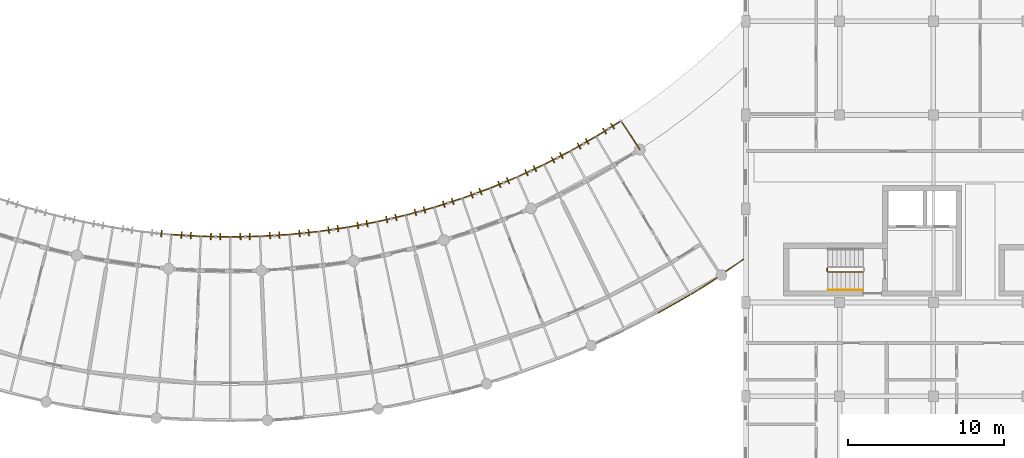
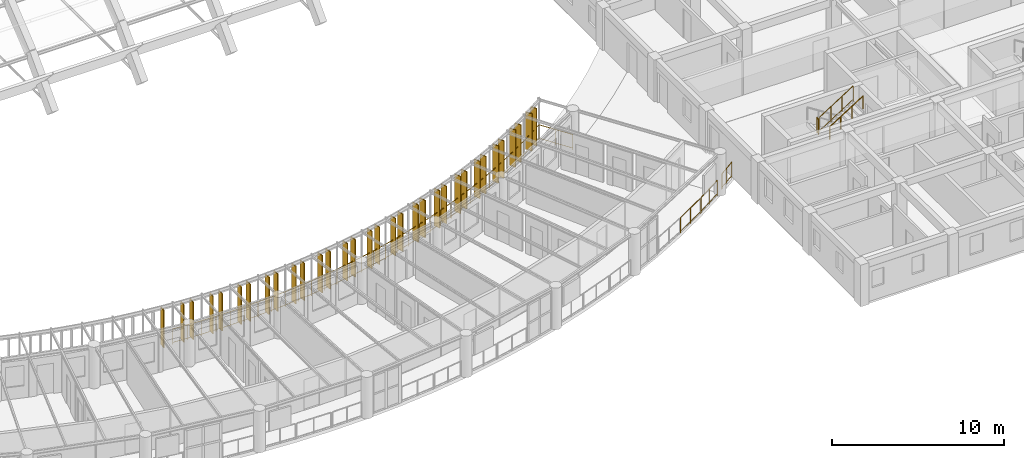
# One storey, part 113 of 123: 33 shading devices, 23 railings.
"""IFC4 building model written with IfcOpenShell, lengths in metres."""

from ifc_helpers import new_model, si_unit, direction, frame, origin, origin_2d, place, context, subcontext, project, spatial, rectangle, circle, extrude, material, layer, layer_set, type_object, element, save


model = new_model("IFC4")

# Units and contexts
model_context = context("Model", 3, precision=1e-05, world=origin(), true_north=direction((0.0, 1.0)))
body_context = subcontext(model_context, "Body", "Model", "MODEL_VIEW")
ifc_project = project(units=[si_unit("LENGTHUNIT", "METRE"), si_unit("AREAUNIT", "SQUARE_METRE"), si_unit("VOLUMEUNIT", "CUBIC_METRE"), si_unit("PLANEANGLEUNIT", "RADIAN"), si_unit("MASSUNIT", "GRAM", prefix="KILO"), si_unit("POWERUNIT", "WATT"), si_unit("THERMODYNAMICTEMPERATUREUNIT", "KELVIN")], contexts=[model_context])

# Site, building, storey
site_placement = place(None, origin())
site = spatial("IfcSite", under=ifc_project, at=site_placement, CompositionType="ELEMENT")
building_placement = place(site_placement, origin())
building = spatial("IfcBuilding", under=site, at=building_placement, Name="Ruvembo Vaulted Housing Court", CompositionType="ELEMENT")
storey_placement = place(building_placement, frame((0.0, 0.0, 7.699951171875)))
storey = spatial("IfcBuildingStorey", under=building, at=storey_placement, Name="L02", CompositionType="ELEMENT", Elevation=7.699951171875)

# Railings
ifc_material_1 = material(Name="Galvanised Painted Steel and Laminated Glass", Category="steel")
ifc_layer_1 = layer(ifc_material_1, 0.070068359375, Name="Galvanised Painted Steel and Laminated Glass")
ifc_layer_set_1 = layer_set([ifc_layer_1], Name="Galvanised Painted Steel and Laminated Glass")
railing_type_1 = type_object("IfcRailingType", Name="RL-BALUST-1120", PredefinedType="BALUSTRADE", material=ifc_layer_set_1)
railing_1_placement = place(storey_placement, frame((96.4072265625, 11.339599609375, 0.0)))
element("IfcRailing", 1, at=railing_1_placement, inside=storey, type_object=railing_type_1, Name="L02 Perimeter Guard RL-EXT-L02-0338", PredefinedType="BALUSTRADE", context=body_context, shape_type="SweptSolid", body=[
    extrude(circle(Radius=0.02392578125, at=origin_2d()), frame((0.0, 0.0, 1.09619140625), z_axis=(0.869960830337, 0.49312083071, 0.0), x_axis=(-0.49312083071, 0.869960830337, 0.0)), (0.0, 0.0, 1.0), 2.27587890625),
    extrude(circle(Radius=0.01806640625, at=origin_2d()), frame((0.0, 0.0, 0.1201171875), z_axis=(0.869960830337, 0.49312083071, 0.0), x_axis=(-0.49312083071, 0.869960830337, 0.0)), (0.0, 0.0, 1.0), 2.27587890625),
    extrude(circle(Radius=0.02099609375, at=origin_2d()), origin(), (0.0, 0.0, 1.0), 1.072021484375),
    extrude(circle(Radius=0.02099609375, at=origin_2d()), frame((0.989990234375, 0.56103515625, 0.0)), (0.0, 0.0, 1.0), 1.072021484375),
    extrude(circle(Radius=0.02099609375, at=origin_2d()), frame((1.97998046875, 1.122314453125, 0.0)), (0.0, 0.0, 1.0), 1.072021484375),
])
railing_2_placement = place(storey_placement, frame((98.47314453125, 12.512939453125, 0.0)))
element("IfcRailing", 2, at=railing_2_placement, inside=storey, type_object=railing_type_1, Name="L02 Perimeter Guard RL-EXT-L02-0339", PredefinedType="BALUSTRADE", context=body_context, shape_type="SweptSolid", body=[
    extrude(circle(Radius=0.02392578125, at=origin_2d()), frame((0.0, 0.0, 1.09619140625), z_axis=(0.848906322391, 0.528543333895, 0.0), x_axis=(-0.528543333895, 0.848906322391, 0.0)), (0.0, 0.0, 1.0), 1.97607421875),
    extrude(circle(Radius=0.01806640625, at=origin_2d()), frame((0.0, 0.0, 0.1201171875), z_axis=(0.848906322391, 0.528543333895, 0.0), x_axis=(-0.528543333895, 0.848906322391, 0.0)), (0.0, 0.0, 1.0), 1.97607421875),
    extrude(circle(Radius=0.02099609375, at=origin_2d()), origin(), (0.0, 0.0, 1.0), 1.072021484375),
    extrude(circle(Radius=0.02099609375, at=origin_2d()), frame((0.8388671875, 0.522216796875, 0.0)), (0.0, 0.0, 1.0), 1.072021484375),
    extrude(circle(Radius=0.02099609375, at=origin_2d()), frame((1.677490234375, 1.04443359375, 0.0)), (0.0, 0.0, 1.0), 1.072021484375),
])
ifc_material_2 = material(Name="Galvanised Painted Steel S275", Category="steel")
ifc_layer_2 = layer(ifc_material_2, 0.06005859375, Name="Galvanised Painted Steel S275")
ifc_layer_set_2 = layer_set([ifc_layer_2], Name="Galvanised Painted Steel S275")
railing_type_2 = type_object("IfcRailingType", Name="RL-GUARD-1100", PredefinedType="GUARDRAIL", material=ifc_layer_set_2)
railing_3_placement = place(storey_placement, frame((65.2255859375, 16.355712890625, 0.0)))
element("IfcRailing", 3, at=railing_3_placement, inside=storey, type_object=railing_type_2, Name="L02 Perimeter Guard RL-EXT-L02-0301", PredefinedType="GUARDRAIL", context=body_context, shape_type="SweptSolid", body=[
    extrude(circle(Radius=0.02392578125, at=origin_2d()), frame((0.0, 0.0, 1.076171875), z_axis=(0.998090110864, -0.061774837886, 0.0), x_axis=(0.061774837886, 0.998090110864, 0.0)), (0.0, 0.0, 1.0), 1.88916015625),
    extrude(circle(Radius=0.01806640625, at=origin_2d()), frame((0.0, 0.0, 0.1201171875), z_axis=(0.998090110864, -0.061774837886, 0.0), x_axis=(0.061774837886, 0.998090110864, 0.0)), (0.0, 0.0, 1.0), 1.88916015625),
    extrude(circle(Radius=0.02099609375, at=origin_2d()), origin(), (0.0, 0.0, 1.0), 1.052001953125),
    extrude(circle(Radius=0.02099609375, at=origin_2d()), frame((0.94287109375, -0.058349609375, 0.0)), (0.0, 0.0, 1.0), 1.052001953125),
    extrude(circle(Radius=0.02099609375, at=origin_2d()), frame((1.885498046875, -0.11669921875, 0.0)), (0.0, 0.0, 1.0), 1.052001953125),
])
railing_4_placement = place(storey_placement, frame((67.111083984375, 16.239013671875, 0.0)))
element("IfcRailing", 4, at=railing_4_placement, inside=storey, type_object=railing_type_2, Name="L02 Perimeter Guard RL-EXT-L02-0302", PredefinedType="GUARDRAIL", context=body_context, shape_type="SweptSolid", body=[
    extrude(circle(Radius=0.02392578125, at=origin_2d()), frame((0.0, 0.0, 1.076171875), z_axis=(0.99978624046, -0.020675429556, 0.0), x_axis=(0.020675429556, 0.99978624046, 0.0)), (0.0, 0.0, 1.0), 1.889404296875),
    extrude(circle(Radius=0.01806640625, at=origin_2d()), frame((0.0, 0.0, 0.1201171875), z_axis=(0.99978624046, -0.020675429556, 0.0), x_axis=(0.020675429556, 0.99978624046, 0.0)), (0.0, 0.0, 1.0), 1.889404296875),
    extrude(circle(Radius=0.02099609375, at=origin_2d()), origin(), (0.0, 0.0, 1.0), 1.052001953125),
    extrude(circle(Radius=0.02099609375, at=origin_2d()), frame((0.9443359375, -0.01953125, 0.0)), (0.0, 0.0, 1.0), 1.052001953125),
    extrude(circle(Radius=0.02099609375, at=origin_2d()), frame((1.888916015625, -0.0390625, 0.0)), (0.0, 0.0, 1.0), 1.052001953125),
])
railing_5_placement = place(storey_placement, frame((69.0, 16.199951171875, 0.0)))
element("IfcRailing", 5, at=railing_5_placement, inside=storey, type_object=railing_type_2, Name="L02 Perimeter Guard RL-EXT-L02-0303", PredefinedType="GUARDRAIL", context=body_context, shape_type="SweptSolid", body=[
    extrude(circle(Radius=0.02392578125, at=origin_2d()), frame((0.0, 0.0, 1.076171875), z_axis=(0.99978624046, 0.020675429556, 0.0), x_axis=(-0.020675429556, 0.99978624046, 0.0)), (0.0, 0.0, 1.0), 1.889404296875),
    extrude(circle(Radius=0.01806640625, at=origin_2d()), frame((0.0, 0.0, 0.1201171875), z_axis=(0.99978624046, 0.020675429556, 0.0), x_axis=(-0.020675429556, 0.99978624046, 0.0)), (0.0, 0.0, 1.0), 1.889404296875),
    extrude(circle(Radius=0.02099609375, at=origin_2d()), origin(), (0.0, 0.0, 1.0), 1.052001953125),
    extrude(circle(Radius=0.02099609375, at=origin_2d()), frame((0.9443359375, 0.01953125, 0.0)), (0.0, 0.0, 1.0), 1.052001953125),
    extrude(circle(Radius=0.02099609375, at=origin_2d()), frame((1.888916015625, 0.0390625, 0.0)), (0.0, 0.0, 1.0), 1.052001953125),
])
railing_6_placement = place(storey_placement, frame((70.888916015625, 16.239013671875, 0.0)))
element("IfcRailing", 6, at=railing_6_placement, inside=storey, type_object=railing_type_2, Name="L02 Perimeter Guard RL-EXT-L02-0304", PredefinedType="GUARDRAIL", context=body_context, shape_type="SweptSolid", body=[
    extrude(circle(Radius=0.02392578125, at=origin_2d()), frame((0.0, 0.0, 1.076171875), z_axis=(0.998090110864, 0.061774837886, 0.0), x_axis=(-0.061774837886, 0.998090110864, 0.0)), (0.0, 0.0, 1.0), 1.88916015625),
    extrude(circle(Radius=0.01806640625, at=origin_2d()), frame((0.0, 0.0, 0.1201171875), z_axis=(0.998090110864, 0.061774837886, 0.0), x_axis=(-0.061774837886, 0.998090110864, 0.0)), (0.0, 0.0, 1.0), 1.88916015625),
    extrude(circle(Radius=0.02099609375, at=origin_2d()), origin(), (0.0, 0.0, 1.0), 1.052001953125),
    extrude(circle(Radius=0.02099609375, at=origin_2d()), frame((0.94287109375, 0.058349609375, 0.0)), (0.0, 0.0, 1.0), 1.052001953125),
    extrude(circle(Radius=0.02099609375, at=origin_2d()), frame((1.885498046875, 0.11669921875, 0.0)), (0.0, 0.0, 1.0), 1.052001953125),
])
railing_7_placement = place(storey_placement, frame((72.7744140625, 16.355712890625, 0.0)))
element("IfcRailing", 7, at=railing_7_placement, inside=storey, type_object=railing_type_2, Name="L02 Perimeter Guard RL-EXT-L02-0305", PredefinedType="GUARDRAIL", context=body_context, shape_type="SweptSolid", body=[
    extrude(circle(Radius=0.02392578125, at=origin_2d()), frame((0.0, 0.0, 1.076171875), z_axis=(0.994683125416, 0.10298291127, 0.0), x_axis=(-0.10298291127, 0.994683125416, 0.0)), (0.0, 0.0, 1.0), 1.889404296875),
    extrude(circle(Radius=0.01806640625, at=origin_2d()), frame((0.0, 0.0, 0.1201171875), z_axis=(0.994683125416, 0.10298291127, 0.0), x_axis=(-0.10298291127, 0.994683125416, 0.0)), (0.0, 0.0, 1.0), 1.889404296875),
    extrude(circle(Radius=0.02099609375, at=origin_2d()), origin(), (0.0, 0.0, 1.0), 1.052001953125),
    extrude(circle(Radius=0.02099609375, at=origin_2d()), frame((0.939697265625, 0.09716796875, 0.0)), (0.0, 0.0, 1.0), 1.052001953125),
    extrude(circle(Radius=0.02099609375, at=origin_2d()), frame((1.87939453125, 0.194580078125, 0.0)), (0.0, 0.0, 1.0), 1.052001953125),
])
railing_8_placement = place(storey_placement, frame((74.65380859375, 16.55029296875, 0.0)))
element("IfcRailing", 8, at=railing_8_placement, inside=storey, type_object=railing_type_2, Name="L02 Perimeter Guard RL-EXT-L02-0306", PredefinedType="GUARDRAIL", context=body_context, shape_type="SweptSolid", body=[
    extrude(circle(Radius=0.02392578125, at=origin_2d()), frame((0.0, 0.0, 1.076171875), z_axis=(0.989600158039, 0.143845497701, 0.0), x_axis=(-0.143845497701, 0.989600158039, 0.0)), (0.0, 0.0, 1.0), 1.888916015625),
    extrude(circle(Radius=0.01806640625, at=origin_2d()), frame((0.0, 0.0, 0.1201171875), z_axis=(0.989600158039, 0.143845497701, 0.0), x_axis=(-0.143845497701, 0.989600158039, 0.0)), (0.0, 0.0, 1.0), 1.888916015625),
    extrude(circle(Radius=0.02099609375, at=origin_2d()), origin(), (0.0, 0.0, 1.0), 1.052001953125),
    extrude(circle(Radius=0.02099609375, at=origin_2d()), frame((0.9345703125, 0.1357421875, 0.0)), (0.0, 0.0, 1.0), 1.052001953125),
    extrude(circle(Radius=0.02099609375, at=origin_2d()), frame((1.869384765625, 0.271728515625, 0.0)), (0.0, 0.0, 1.0), 1.052001953125),
])
railing_9_placement = place(storey_placement, frame((76.523193359375, 16.822021484375, 0.0)))
element("IfcRailing", 9, at=railing_9_placement, inside=storey, type_object=railing_type_2, Name="L02 Perimeter Guard RL-EXT-L02-0307", PredefinedType="GUARDRAIL", context=body_context, shape_type="SweptSolid", body=[
    extrude(circle(Radius=0.02392578125, at=origin_2d()), frame((0.0, 0.0, 1.076171875), z_axis=(0.982804832401, 0.184647397515, 0.0), x_axis=(-0.184647397515, 0.982804832401, 0.0)), (0.0, 0.0, 1.0), 1.889404296875),
    extrude(circle(Radius=0.01806640625, at=origin_2d()), frame((0.0, 0.0, 0.1201171875), z_axis=(0.982804832401, 0.184647397515, 0.0), x_axis=(-0.184647397515, 0.982804832401, 0.0)), (0.0, 0.0, 1.0), 1.889404296875),
    extrude(circle(Radius=0.02099609375, at=origin_2d()), origin(), (0.0, 0.0, 1.0), 1.052001953125),
    extrude(circle(Radius=0.02099609375, at=origin_2d()), frame((0.928466796875, 0.17431640625, 0.0)), (0.0, 0.0, 1.0), 1.052001953125),
    extrude(circle(Radius=0.02099609375, at=origin_2d()), frame((1.85693359375, 0.348876953125, 0.0)), (0.0, 0.0, 1.0), 1.052001953125),
])
railing_10_placement = place(storey_placement, frame((78.380126953125, 17.1708984375, 0.0)))
element("IfcRailing", 10, at=railing_10_placement, inside=storey, type_object=railing_type_2, Name="L02 Perimeter Guard RL-EXT-L02-0308", PredefinedType="GUARDRAIL", context=body_context, shape_type="SweptSolid", body=[
    extrude(circle(Radius=0.02392578125, at=origin_2d()), frame((0.0, 0.0, 1.076171875), z_axis=(0.974391195695, 0.224859506699, 0.0), x_axis=(-0.224859506699, 0.974391195695, 0.0)), (0.0, 0.0, 1.0), 1.88916015625),
    extrude(circle(Radius=0.01806640625, at=origin_2d()), frame((0.0, 0.0, 0.1201171875), z_axis=(0.974391195695, 0.224859506699, 0.0), x_axis=(-0.224859506699, 0.974391195695, 0.0)), (0.0, 0.0, 1.0), 1.88916015625),
    extrude(circle(Radius=0.02099609375, at=origin_2d()), origin(), (0.0, 0.0, 1.0), 1.052001953125),
    extrude(circle(Radius=0.02099609375, at=origin_2d()), frame((0.92041015625, 0.21240234375, 0.0)), (0.0, 0.0, 1.0), 1.052001953125),
    extrude(circle(Radius=0.02099609375, at=origin_2d()), frame((1.8408203125, 0.4248046875, 0.0)), (0.0, 0.0, 1.0), 1.052001953125),
])
railing_11_placement = place(storey_placement, frame((80.220947265625, 17.595703125, 0.0)))
element("IfcRailing", 11, at=railing_11_placement, inside=storey, type_object=railing_type_2, Name="L02 Perimeter Guard RL-EXT-L02-0309", PredefinedType="GUARDRAIL", context=body_context, shape_type="SweptSolid", body=[
    extrude(circle(Radius=0.02392578125, at=origin_2d()), frame((0.0, 0.0, 1.076171875), z_axis=(0.964240073493, 0.26503033915, 0.0), x_axis=(-0.26503033915, 0.964240073493, 0.0)), (0.0, 0.0, 1.0), 1.889404296875),
    extrude(circle(Radius=0.01806640625, at=origin_2d()), frame((0.0, 0.0, 0.1201171875), z_axis=(0.964240073493, 0.26503033915, 0.0), x_axis=(-0.26503033915, 0.964240073493, 0.0)), (0.0, 0.0, 1.0), 1.889404296875),
    extrude(circle(Radius=0.02099609375, at=origin_2d()), origin(), (0.0, 0.0, 1.0), 1.052001953125),
    extrude(circle(Radius=0.02099609375, at=origin_2d()), frame((0.910888671875, 0.25048828125, 0.0)), (0.0, 0.0, 1.0), 1.052001953125),
    extrude(circle(Radius=0.02099609375, at=origin_2d()), frame((1.82177734375, 0.500732421875, 0.0)), (0.0, 0.0, 1.0), 1.052001953125),
])
railing_12_placement = place(storey_placement, frame((82.042724609375, 18.096435546875, 0.0)))
element("IfcRailing", 12, at=railing_12_placement, inside=storey, type_object=railing_type_2, Name="L02 Perimeter Guard RL-EXT-L02-0310", PredefinedType="GUARDRAIL", context=body_context, shape_type="SweptSolid", body=[
    extrude(circle(Radius=0.02392578125, at=origin_2d()), frame((0.0, 0.0, 1.076171875), z_axis=(0.952526124364, 0.304456864605, 0.0), x_axis=(-0.304456864605, 0.952526124364, 0.0)), (0.0, 0.0, 1.0), 1.88916015625),
    extrude(circle(Radius=0.01806640625, at=origin_2d()), frame((0.0, 0.0, 0.1201171875), z_axis=(0.952526124364, 0.304456864605, 0.0), x_axis=(-0.304456864605, 0.952526124364, 0.0)), (0.0, 0.0, 1.0), 1.88916015625),
    extrude(circle(Radius=0.02099609375, at=origin_2d()), origin(), (0.0, 0.0, 1.0), 1.052001953125),
    extrude(circle(Radius=0.02099609375, at=origin_2d()), frame((0.89990234375, 0.28759765625, 0.0)), (0.0, 0.0, 1.0), 1.052001953125),
    extrude(circle(Radius=0.02099609375, at=origin_2d()), frame((1.799560546875, 0.5751953125, 0.0)), (0.0, 0.0, 1.0), 1.052001953125),
])
railing_13_placement = place(storey_placement, frame((83.84228515625, 18.671630859375, 0.0)))
element("IfcRailing", 13, at=railing_13_placement, inside=storey, type_object=railing_type_2, Name="L02 Perimeter Guard RL-EXT-L02-0311", PredefinedType="GUARDRAIL", context=body_context, shape_type="SweptSolid", body=[
    extrude(circle(Radius=0.02392578125, at=origin_2d()), frame((0.0, 0.0, 1.076171875), z_axis=(0.939165556371, 0.343464783824, 0.0), x_axis=(-0.343464783824, 0.939165556371, 0.0)), (0.0, 0.0, 1.0), 1.889404296875),
    extrude(circle(Radius=0.01806640625, at=origin_2d()), frame((0.0, 0.0, 0.1201171875), z_axis=(0.939165556371, 0.343464783824, 0.0), x_axis=(-0.343464783824, 0.939165556371, 0.0)), (0.0, 0.0, 1.0), 1.889404296875),
    extrude(circle(Radius=0.02099609375, at=origin_2d()), origin(), (0.0, 0.0, 1.0), 1.052001953125),
    extrude(circle(Radius=0.02099609375, at=origin_2d()), frame((0.88720703125, 0.324462890625, 0.0)), (0.0, 0.0, 1.0), 1.052001953125),
    extrude(circle(Radius=0.02099609375, at=origin_2d()), frame((1.7744140625, 0.64892578125, 0.0)), (0.0, 0.0, 1.0), 1.052001953125),
])
railing_14_placement = place(storey_placement, frame((85.61669921875, 19.320556640625, 0.0)))
element("IfcRailing", 14, at=railing_14_placement, inside=storey, type_object=railing_type_2, Name="L02 Perimeter Guard RL-EXT-L02-0312", PredefinedType="GUARDRAIL", context=body_context, shape_type="SweptSolid", body=[
    extrude(circle(Radius=0.02392578125, at=origin_2d()), frame((0.0, 0.0, 1.076171875), z_axis=(0.924155321549, 0.38201693896, 0.0), x_axis=(-0.38201693896, 0.924155321549, 0.0)), (0.0, 0.0, 1.0), 1.88916015625),
    extrude(circle(Radius=0.01806640625, at=origin_2d()), frame((0.0, 0.0, 0.1201171875), z_axis=(0.924155321549, 0.38201693896, 0.0), x_axis=(-0.38201693896, 0.924155321549, 0.0)), (0.0, 0.0, 1.0), 1.88916015625),
    extrude(circle(Radius=0.02099609375, at=origin_2d()), origin(), (0.0, 0.0, 1.0), 1.052001953125),
    extrude(circle(Radius=0.02099609375, at=origin_2d()), frame((0.873046875, 0.36083984375, 0.0)), (0.0, 0.0, 1.0), 1.052001953125),
    extrude(circle(Radius=0.02099609375, at=origin_2d()), frame((1.745849609375, 0.7216796875, 0.0)), (0.0, 0.0, 1.0), 1.052001953125),
])
railing_15_placement = place(storey_placement, frame((87.362548828125, 20.042236328125, 0.0)))
element("IfcRailing", 15, at=railing_15_placement, inside=storey, type_object=railing_type_2, Name="L02 Perimeter Guard RL-EXT-L02-0313", PredefinedType="GUARDRAIL", context=body_context, shape_type="SweptSolid", body=[
    extrude(circle(Radius=0.02392578125, at=origin_2d()), frame((0.0, 0.0, 1.076171875), z_axis=(0.907656578832, 0.419713634403, 0.0), x_axis=(-0.419713634403, 0.907656578832, 0.0)), (0.0, 0.0, 1.0), 1.889404296875),
    extrude(circle(Radius=0.01806640625, at=origin_2d()), frame((0.0, 0.0, 0.1201171875), z_axis=(0.907656578832, 0.419713634403, 0.0), x_axis=(-0.419713634403, 0.907656578832, 0.0)), (0.0, 0.0, 1.0), 1.889404296875),
    extrude(circle(Radius=0.02099609375, at=origin_2d()), origin(), (0.0, 0.0, 1.0), 1.052001953125),
    extrude(circle(Radius=0.02099609375, at=origin_2d()), frame((0.857421875, 0.396484375, 0.0)), (0.0, 0.0, 1.0), 1.052001953125),
    extrude(circle(Radius=0.02099609375, at=origin_2d()), frame((1.71484375, 0.79296875, 0.0)), (0.0, 0.0, 1.0), 1.052001953125),
])
railing_16_placement = place(storey_placement, frame((89.077392578125, 20.835205078125, 0.0)))
element("IfcRailing", 16, at=railing_16_placement, inside=storey, type_object=railing_type_2, Name="L02 Perimeter Guard RL-EXT-L02-0314", PredefinedType="GUARDRAIL", context=body_context, shape_type="SweptSolid", body=[
    extrude(circle(Radius=0.02392578125, at=origin_2d()), frame((0.0, 0.0, 1.076171875), z_axis=(0.889568437347, 0.45680192127, 0.0), x_axis=(-0.45680192127, 0.889568437347, 0.0)), (0.0, 0.0, 1.0), 1.889404296875),
    extrude(circle(Radius=0.01806640625, at=origin_2d()), frame((0.0, 0.0, 0.1201171875), z_axis=(0.889568437347, 0.45680192127, 0.0), x_axis=(-0.45680192127, 0.889568437347, 0.0)), (0.0, 0.0, 1.0), 1.889404296875),
    extrude(circle(Radius=0.02099609375, at=origin_2d()), origin(), (0.0, 0.0, 1.0), 1.052001953125),
    extrude(circle(Radius=0.02099609375, at=origin_2d()), frame((0.84033203125, 0.431640625, 0.0)), (0.0, 0.0, 1.0), 1.052001953125),
    extrude(circle(Radius=0.02099609375, at=origin_2d()), frame((1.6806640625, 0.863037109375, 0.0)), (0.0, 0.0, 1.0), 1.052001953125),
])
railing_17_placement = place(storey_placement, frame((90.758056640625, 21.6982421875, 0.0)))
element("IfcRailing", 17, at=railing_17_placement, inside=storey, type_object=railing_type_2, Name="L02 Perimeter Guard RL-EXT-L02-0315", PredefinedType="GUARDRAIL", context=body_context, shape_type="SweptSolid", body=[
    extrude(circle(Radius=0.02392578125, at=origin_2d()), frame((0.0, 0.0, 1.076171875), z_axis=(0.869955662473, 0.493129947712, 0.0), x_axis=(-0.493129947712, 0.869955662473, 0.0)), (0.0, 0.0, 1.0), 1.88916015625),
    extrude(circle(Radius=0.01806640625, at=origin_2d()), frame((0.0, 0.0, 0.1201171875), z_axis=(0.869955662473, 0.493129947712, 0.0), x_axis=(-0.493129947712, 0.869955662473, 0.0)), (0.0, 0.0, 1.0), 1.88916015625),
    extrude(circle(Radius=0.02099609375, at=origin_2d()), origin(), (0.0, 0.0, 1.0), 1.052001953125),
    extrude(circle(Radius=0.02099609375, at=origin_2d()), frame((0.82177734375, 0.4658203125, 0.0)), (0.0, 0.0, 1.0), 1.052001953125),
    extrude(circle(Radius=0.02099609375, at=origin_2d()), frame((1.6435546875, 0.931640625, 0.0)), (0.0, 0.0, 1.0), 1.052001953125),
])
railing_18_placement = place(storey_placement, frame((92.401611328125, 22.6298828125, 0.0)))
element("IfcRailing", 18, at=railing_18_placement, inside=storey, type_object=railing_type_2, Name="L02 Perimeter Guard RL-EXT-L02-0316", PredefinedType="GUARDRAIL", context=body_context, shape_type="SweptSolid", body=[
    extrude(circle(Radius=0.02392578125, at=origin_2d()), frame((0.0, 0.0, 1.076171875), z_axis=(0.848904567119, 0.52854615307, 0.0), x_axis=(-0.52854615307, 0.848904567119, 0.0)), (0.0, 0.0, 1.0), 1.88916015625),
    extrude(circle(Radius=0.01806640625, at=origin_2d()), frame((0.0, 0.0, 0.1201171875), z_axis=(0.848904567119, 0.52854615307, 0.0), x_axis=(-0.52854615307, 0.848904567119, 0.0)), (0.0, 0.0, 1.0), 1.88916015625),
    extrude(circle(Radius=0.02099609375, at=origin_2d()), origin(), (0.0, 0.0, 1.0), 1.052001953125),
    extrude(circle(Radius=0.02099609375, at=origin_2d()), frame((0.8017578125, 0.499267578125, 0.0)), (0.0, 0.0, 1.0), 1.052001953125),
    extrude(circle(Radius=0.02099609375, at=origin_2d()), frame((1.603759765625, 0.99853515625, 0.0)), (0.0, 0.0, 1.0), 1.052001953125),
])
railing_19_placement = place(storey_placement, frame((94.00537109375, 23.62841796875, 0.0)))
element("IfcRailing", 19, at=railing_19_placement, inside=storey, type_object=railing_type_2, Name="L02 Perimeter Guard RL-EXT-L02-0317", PredefinedType="GUARDRAIL", context=body_context, shape_type="SweptSolid", body=[
    extrude(circle(Radius=0.02392578125, at=origin_2d()), frame((0.0, 0.0, 1.076171875), z_axis=(0.546013859183, -0.837776142881, 0.0), x_axis=(0.837776142881, 0.546013859183, 0.0)), (0.0, 0.0, 1.0), 2.199951171875),
    extrude(circle(Radius=0.01806640625, at=origin_2d()), frame((0.0, 0.0, 0.1201171875), z_axis=(0.546013859183, -0.837776142881, 0.0), x_axis=(0.837776142881, 0.546013859183, 0.0)), (0.0, 0.0, 1.0), 2.199951171875),
    extrude(circle(Radius=0.02099609375, at=origin_2d()), origin(), (0.0, 0.0, 1.0), 1.052001953125),
    extrude(circle(Radius=0.02099609375, at=origin_2d()), frame((0.6005859375, -0.92138671875, 0.0)), (0.0, 0.0, 1.0), 1.052001953125),
    extrude(circle(Radius=0.02099609375, at=origin_2d()), frame((1.201171875, -1.843017578125, 0.0)), (0.0, 0.0, 1.0), 1.052001953125),
])
railing_20_placement = place(storey_placement, frame((101.824951171875, 14.75341796875, 0.0)))
element("IfcRailing", 20, at=railing_20_placement, inside=storey, type_object=railing_type_2, Name="L02 Perimeter Guard RL-EXT-L02-0909", PredefinedType="GUARDRAIL", context=body_context, shape_type="SweptSolid", body=[
    extrude(circle(Radius=0.02392578125, at=origin_2d()), frame((0.0, 0.0, 1.076171875), z_axis=(-0.826420361982, -0.5630536256, 0.0), x_axis=(0.5630536256, -0.826420361982, 0.0)), (0.0, 0.0, 1.0), 1.337646484375),
    extrude(circle(Radius=0.01806640625, at=origin_2d()), frame((0.0, 0.0, 0.1201171875), z_axis=(-0.826420361982, -0.5630536256, 0.0), x_axis=(0.5630536256, -0.826420361982, 0.0)), (0.0, 0.0, 1.0), 1.337646484375),
    extrude(circle(Radius=0.02099609375, at=origin_2d()), origin(), (0.0, 0.0, 1.0), 1.052001953125),
    extrude(circle(Radius=0.02099609375, at=origin_2d()), frame((-0.552734375, -0.37646484375, 0.0)), (0.0, 0.0, 1.0), 1.052001953125),
    extrude(circle(Radius=0.02099609375, at=origin_2d()), frame((-1.10546875, -0.753173828125, 0.0)), (0.0, 0.0, 1.0), 1.052001953125),
])
ifc_material_3 = material(Name="Painted Galvanised Steel S275", Category="steel")
ifc_layer_3 = layer(ifc_material_3, 0.06005859375, Name="Painted Galvanised Steel S275")
ifc_layer_set_3 = layer_set([ifc_layer_3], Name="Painted Galvanised Steel S275")
railing_type_3 = type_object("IfcRailingType", Name="RL-STAIR-GR1100", PredefinedType="GUARDRAIL", material=ifc_layer_set_3)
railing_21_placement = place(storey_placement, frame((107.2099609375, 14.199951171875, 1.60009765625)))
element("IfcRailing", 21, at=railing_21_placement, inside=storey, type_object=railing_type_3, Name="L02 ST-C1 stair guard 2", PredefinedType="GUARDRAIL", context=body_context, shape_type="SweptSolid", body=[
    extrude(circle(Radius=0.02392578125, at=origin_2d()), frame((0.0, 0.0, 1.076171875), z_axis=(0.0, -1.0, 0.0), x_axis=(1.0, 0.0, 0.0)), (0.0, 0.0, 1.0), 0.199951171875),
    extrude(circle(Radius=0.01806640625, at=origin_2d()), frame((0.0, 0.0, 0.1201171875), z_axis=(0.0, -1.0, 0.0), x_axis=(1.0, 0.0, 0.0)), (0.0, 0.0, 1.0), 0.199951171875),
    extrude(circle(Radius=0.02099609375, at=origin_2d()), origin(), (0.0, 0.0, 1.0), 1.052001953125),
    extrude(circle(Radius=0.02099609375, at=origin_2d()), frame((0.0, -0.199951171875, 0.0)), (0.0, 0.0, 1.0), 1.052001953125),
])
railing_22_placement = place(storey_placement, frame((107.260009765625, 13.949951171875, 1.77783203125)))
element("IfcRailing", 22, at=railing_22_placement, inside=storey, type_object=railing_type_3, Name="L02 ST-C1 stair guard 3", PredefinedType="GUARDRAIL", context=body_context, shape_type="SweptSolid", body=[
    extrude(circle(Radius=0.02392578125, at=origin_2d()), frame((0.0, 0.0, 1.076171875), z_axis=(0.8442293374, 0.0, 0.53598211339), x_axis=(0.0, 1.0, 0.0)), (0.0, 0.0, 1.0), 2.6533203125),
    extrude(circle(Radius=0.01806640625, at=origin_2d()), frame((0.0, 0.0, 0.1201171875), z_axis=(0.8442293374, 0.0, 0.53598211339), x_axis=(0.0, 1.0, 0.0)), (0.0, 0.0, 1.0), 2.6533203125),
    extrude(circle(Radius=0.02099609375, at=origin_2d()), origin(), (0.0, 0.0, 1.0), 1.052001953125),
    extrude(circle(Radius=0.02099609375, at=origin_2d()), frame((0.74658203125, 0.0, 0.47412109375)), (0.0, 0.0, 1.0), 1.052001953125),
    extrude(circle(Radius=0.02099609375, at=origin_2d()), frame((1.493408203125, 0.0, 0.947998046875)), (0.0, 0.0, 1.0), 1.052001953125),
    extrude(circle(Radius=0.02099609375, at=origin_2d()), frame((2.239990234375, 0.0, 1.422119140625)), (0.0, 0.0, 1.0), 1.052001953125),
])
ifc_material_4 = material(Name="Brushed Stainless Steel 304", Category="steel")
ifc_layer_4 = layer(ifc_material_4, 0.050048828125, Name="Brushed Stainless Steel 304")
ifc_layer_set_4 = layer_set([ifc_layer_4], Name="Brushed Stainless Steel 304")
railing_type_4 = type_object("IfcRailingType", Name="RL-STAIR-HR920", PredefinedType="HANDRAIL", material=ifc_layer_set_4)
railing_23_placement = place(storey_placement, frame((107.260009765625, 12.800048828125, 1.959228515625)))
element("IfcRailing", 23, at=railing_23_placement, inside=storey, type_object=railing_type_4, Name="L02 ST-C1 stair handrail 2", PredefinedType="HANDRAIL", context=body_context, shape_type="SweptSolid", body=[
    extrude(circle(Radius=0.02392578125, at=origin_2d()), frame((0.0, 0.0, 0.8759765625), z_axis=(0.84418770128, 0.0, 0.536047689118), x_axis=(0.0, 1.0, 0.0)), (0.0, 0.0, 1.0), 2.6533203125),
    extrude(circle(Radius=0.02099609375, at=origin_2d()), origin(), (0.0, 0.0, 1.0), 0.851806640625),
    extrude(circle(Radius=0.02099609375, at=origin_2d()), frame((0.74658203125, 0.0, 0.47412109375)), (0.0, 0.0, 1.0), 0.851806640625),
    extrude(circle(Radius=0.02099609375, at=origin_2d()), frame((1.493408203125, 0.0, 0.9482421875)), (0.0, 0.0, 1.0), 0.851806640625),
    extrude(circle(Radius=0.02099609375, at=origin_2d()), frame((2.239990234375, 0.0, 1.42236328125)), (0.0, 0.0, 1.0), 0.851806640625),
])

# Shading devices
ifc_material_5 = material(Name="Kiln-Fired Terracotta Extrusion", Category="masonry")
shading_device_type = type_object("IfcShadingDeviceType", Name="SHD-FIN-420", PredefinedType="USERDEFINED", material=ifc_material_5)
for number, where, z_axis, x_axis, name in (
    (24, (64.584228515625, 16.422119140625, 0.0498046875), (0.0, 0.0, 1.0), (-0.102948783072, -0.994686658232, 0.0), "Terracotta Brise-Soleil Fin #270"),
    (25, (65.868896484375, 16.31591796875, 0.0498046875), (0.0, 0.0, 1.0), (-0.061832453863, -0.998086543166, 0.0), "Terracotta Brise-Soleil Fin #271"),
    (26, (66.4677734375, 16.27880859375, 0.0498046875), (0.0, 0.0, 1.0), (-0.061832453863, -0.998086543166, 0.0), "Terracotta Brise-Soleil Fin #272"),
    (27, (67.755615234375, 16.2255859375, 0.0498046875), (0.0, 0.0, 1.0), (-0.020645778066, -0.999786853208, 0.0), "Terracotta Brise-Soleil Fin #273"),
    (28, (68.35546875, 16.21337890625, 0.0498046875), (0.0, 0.0, 1.0), (-0.020645778066, -0.999786853208, 0.0), "Terracotta Brise-Soleil Fin #274"),
    (29, (69.64453125, 16.21337890625, 0.0498046875), (0.0, 0.0, 1.0), (0.020645778066, -0.999786853208, 0.0), "Terracotta Brise-Soleil Fin #275"),
    (30, (70.244384765625, 16.2255859375, 0.0498046875), (0.0, 0.0, 1.0), (0.020645778066, -0.999786853208, 0.0), "Terracotta Brise-Soleil Fin #276"),
    (31, (71.5322265625, 16.27880859375, 0.0498046875), (0.0, 0.0, 1.0), (0.061832453863, -0.998086543166, 0.0), "Terracotta Brise-Soleil Fin #277"),
    (32, (72.131103515625, 16.31591796875, 0.0498046875), (0.0, 0.0, 1.0), (0.061832453863, -0.998086543166, 0.0), "Terracotta Brise-Soleil Fin #278"),
    (33, (73.415771484375, 16.422119140625, 0.0498046875), (0.0, 0.0, 1.0), (0.102948783072, -0.994686658232, 0.0), "Terracotta Brise-Soleil Fin #279"),
    (34, (74.012451171875, 16.48388671875, 0.0498046875), (0.0, 0.0, 1.0), (0.102948783072, -0.994686658232, 0.0), "Terracotta Brise-Soleil Fin #280"),
    (35, (75.29150390625, 16.64306640625, 0.0498046875), (0.0, 0.0, 1.0), (0.143872610257, -0.989596216655, 0.0), "Terracotta Brise-Soleil Fin #281"),
    (36, (75.885498046875, 16.7294921875, 0.0498046875), (0.0, 0.0, 1.0), (0.143872610257, -0.989596216655, 0.0), "Terracotta Brise-Soleil Fin #282"),
    (37, (77.156982421875, 16.941162109375, 0.0498046875), (0.0, 0.0, 1.0), (0.184568910756, -0.982819575091, 0.0), "Terracotta Brise-Soleil Fin #283"),
    (38, (77.74658203125, 17.0517578125, 0.0498046875), (0.0, 0.0, 1.0), (0.184568910756, -0.982819575091, 0.0), "Terracotta Brise-Soleil Fin #284"),
    (39, (79.00830078125, 17.31591796875, 0.0498046875), (0.0, 0.0, 1.0), (0.224951054344, -0.974370064785, 0.0), "Terracotta Brise-Soleil Fin #285"),
    (40, (79.593017578125, 17.45068359375, 0.0498046875), (0.0, 0.0, 1.0), (0.224951054344, -0.974370064785, 0.0), "Terracotta Brise-Soleil Fin #286"),
    (41, (80.842529296875, 17.7666015625, 0.0498046875), (0.0, 0.0, 1.0), (0.264983965035, -0.96425281865, 0.0), "Terracotta Brise-Soleil Fin #287"),
    (42, (81.421142578125, 17.925537109375, 0.0498046875), (0.0, 0.0, 1.0), (0.264983965035, -0.96425281865, 0.0), "Terracotta Brise-Soleil Fin #288"),
    (43, (82.65673828125, 18.292724609375, 0.0498046875), (0.0, 0.0, 1.0), (0.304448708958, -0.952528731122, 0.0), "Terracotta Brise-Soleil Fin #289"),
    (44, (83.228271484375, 18.475341796875, 0.0498046875), (0.0, 0.0, 1.0), (0.304448708958, -0.952528731122, 0.0), "Terracotta Brise-Soleil Fin #290"),
    (45, (84.44775390625, 18.89306640625, 0.0498046875), (0.0, 0.0, 1.0), (0.343512177766, -0.939148222447, 0.0), "Terracotta Brise-Soleil Fin #291"),
    (46, (85.01123046875, 19.09912109375, 0.0498046875), (0.0, 0.0, 1.0), (0.343512177766, -0.939148222447, 0.0), "Terracotta Brise-Soleil Fin #292"),
    (47, (86.21240234375, 19.56689453125, 0.0498046875), (0.0, 0.0, 1.0), (0.381957701122, -0.924179806398, 0.0), "Terracotta Brise-Soleil Fin #293"),
    (48, (86.766845703125, 19.7958984375, 0.0498046875), (0.0, 0.0, 1.0), (0.381957701122, -0.924179806398, 0.0), "Terracotta Brise-Soleil Fin #294"),
    (49, (87.94775390625, 20.312744140625, 0.0498046875), (0.0, 0.0, 1.0), (0.419737248448, -0.90764565898, 0.0), "Terracotta Brise-Soleil Fin #295"),
    (50, (88.4921875, 20.564697265625, 0.0498046875), (0.0, 0.0, 1.0), (0.419737248448, -0.90764565898, 0.0), "Terracotta Brise-Soleil Fin #296"),
    (51, (89.65087890625, 21.129638671875, 0.0498046875), (0.0, 0.0, 1.0), (0.456849537333, -0.889543984432, 0.0), "Terracotta Brise-Soleil Fin #297"),
    (52, (90.1845703125, 21.40380859375, 0.0498046875), (0.0, 0.0, 1.0), (0.456849537333, -0.889543984432, 0.0), "Terracotta Brise-Soleil Fin #298"),
    (53, (91.31884765625, 22.01611328125, 0.0498046875), (0.0, 0.0, 1.0), (0.493106983922, -0.86996867898, 0.0), "Terracotta Brise-Soleil Fin #299"),
    (54, (91.8408203125, 22.31201171875, 0.0498046875), (0.0, 0.0, 1.0), (0.493106983922, -0.86996867898, 0.0), "Terracotta Brise-Soleil Fin #300"),
    (55, (92.94873046875, 22.970703125, 0.0498046875), (0.0, 0.0, 1.0), (0.528556868381, -0.848897895443, 0.0), "Terracotta Brise-Soleil Fin #301"),
    (56, (93.458251953125, 23.287841796875, 0.0498046875), (0.0, 0.0, 1.0), (0.528556868381, -0.848897895443, 0.0), "Terracotta Brise-Soleil Fin #302"),
):
    element("IfcShadingDevice", number, at=place(storey_placement, frame(where, z_axis=z_axis, x_axis=x_axis)), inside=storey, type_object=shading_device_type, Name=name, ObjectType="FIN", PredefinedType="USERDEFINED", context=body_context, shape_type="SweptSolid", body=[
        extrude(rectangle(XDim=0.419921875, YDim=0.06494140625, at=origin_2d()), origin(), (0.0, 0.0, 1.0), 2.653076171875),
    ])

save(model, "model.ifc")
